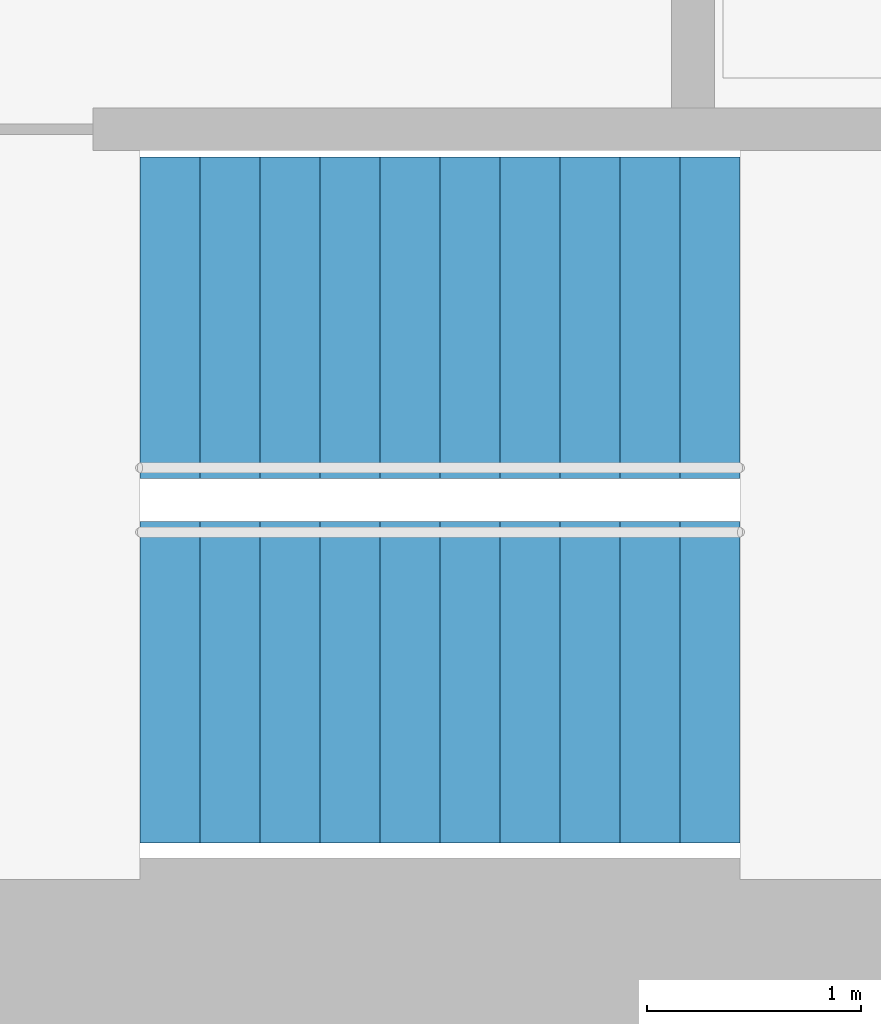
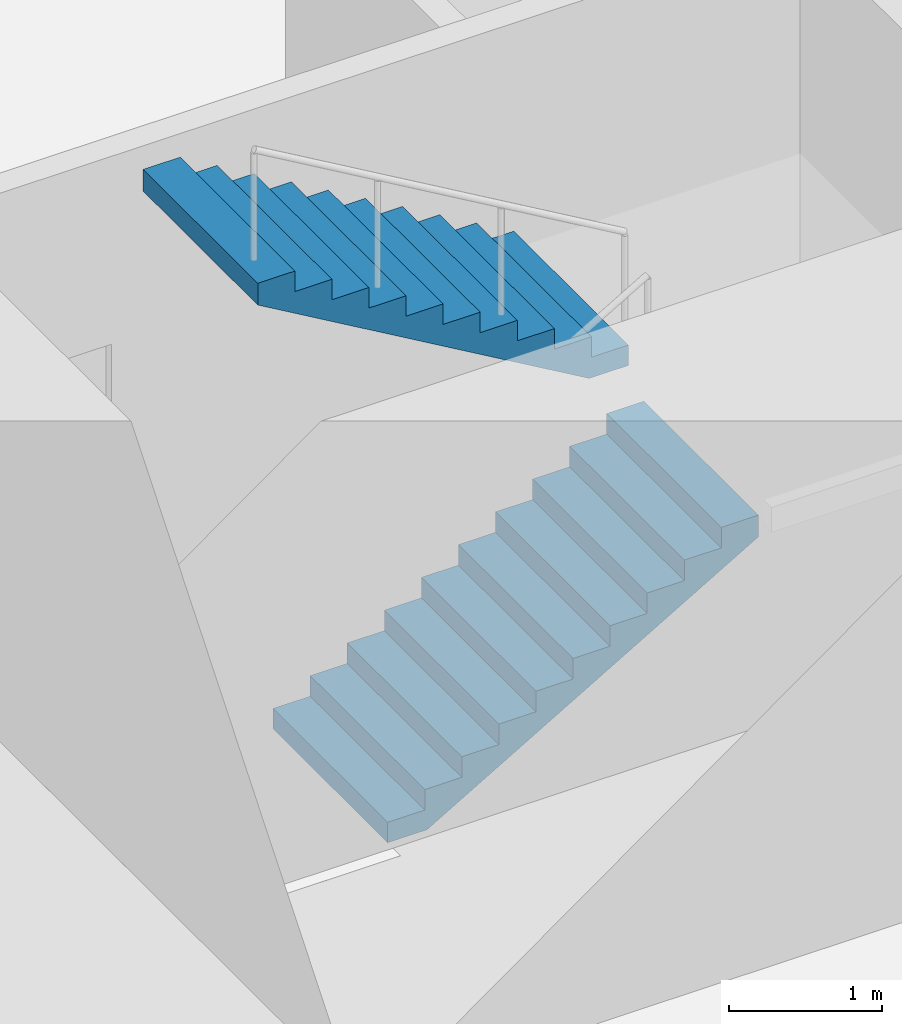
# One storey, part 13 of 15: 2 stair flights, 1 element without a shape of its own.
"""IFC4 building model written with IfcOpenShell, lengths in metres."""

from ifc_helpers import new_model, si_unit, direction, frame, origin, place, context, subcontext, project, spatial, triangles, material, type_object, element, aggregate, save


model = new_model("IFC4")

# Units and contexts
model_context = context("Model", 3, precision=1e-05, world=origin(), true_north=direction((0.0, 1.0)))
body_context = subcontext(model_context, "Body", "Model", "MODEL_VIEW")
ifc_project = project(units=[si_unit("LENGTHUNIT", "METRE"), si_unit("AREAUNIT", "SQUARE_METRE"), si_unit("VOLUMEUNIT", "CUBIC_METRE"), si_unit("PLANEANGLEUNIT", "RADIAN"), si_unit("MASSUNIT", "GRAM", prefix="KILO")], contexts=[model_context])

# Site, building, storey
site_placement = place(None, origin())
site = spatial("IfcSite", under=ifc_project, at=site_placement, CompositionType="ELEMENT")
building_placement = place(site_placement, origin())
building = spatial("IfcBuilding", under=site, at=building_placement, Name="Lantaw Convention Tower", CompositionType="ELEMENT")
storey_placement = place(building_placement, frame((0.0, 0.0, 73.0)))
storey = spatial("IfcBuildingStorey", under=building, at=storey_placement, Name="L16", CompositionType="ELEMENT", Elevation=73.0)

# Stair, stair flights
ifc_material = material(Name="Concrete C35/45", Category="concrete")
stair_type = type_object("IfcStairType", Name="Exit stair 1500 riser 163.64 in 2 flights", PredefinedType="HALF_TURN_STAIR", material=ifc_material)
stair_placement = place(storey_placement, origin())
stair = element("IfcStair", 1, at=stair_placement, inside=storey, type_object=stair_type, Name="Exit stair S1 L16", PredefinedType="HALF_TURN_STAIR")
stair_flight_type = type_object("IfcStairFlightType", Name="Stair flight 1500 riser 163.64", PredefinedType="STRAIGHT", material=ifc_material)
stair_flight_1_placement = place(storey_placement, frame((-10.580078125, -5.97998046875, 0.0), z_axis=(0.0, 0.0, 1.0), x_axis=(1.0, 0.0, 0.0)))
stair_flight_1 = element("IfcStairFlight", 2, at=stair_flight_1_placement, type_object=stair_flight_type, Name="S1 flight 1", NumberOfRisers=11, NumberOfTreads=10, PredefinedType="STRAIGHT", RiserHeight=0.163636364, TreadLength=0.28, context=body_context, shape_type="Tessellation", body=[
    triangles([(0.0, 0.75, 0.0), (0.0, 0.75, 0.163636364), (0.28, 0.75, 0.0), (0.28, 0.75, 0.163636364), (0.28, 0.75, 0.327272728), (0.2970904571225277, 0.75, 0.0), (0.2970904571225277, 0.75, 0.327272728), (0.56, 0.75, 0.1536484344906131), (0.56, 0.75, 0.327272728), (0.56, 0.75, 0.490909092), (0.8400000000000001, 0.75, 0.3172847984906131), (0.8400000000000001, 0.75, 0.490909092), (0.8400000000000001, 0.75, 0.654545456), (1.12, 0.75, 0.4809211624906131), (1.12, 0.75, 0.654545456), (1.12, 0.75, 0.8181818200000001), (1.4000000000000001, 0.75, 0.6445575264906132), (1.4000000000000001, 0.75, 0.8181818200000001), (1.4000000000000001, 0.75, 0.981818184), (1.6800000000000002, 0.75, 0.8081938904906131), (1.6800000000000002, 0.75, 0.981818184), (1.6800000000000002, 0.75, 1.145454548), (1.9600000000000002, 0.75, 0.9718302544906131), (1.9600000000000002, 0.75, 1.145454548), (1.9600000000000002, 0.75, 1.309090912), (2.24, 0.75, 1.135466618490613), (2.24, 0.75, 1.309090912), (2.24, 0.75, 1.472727276), (2.5200000000000005, 0.75, 1.2991029824906133), (2.5200000000000005, 0.75, 1.472727276), (2.5200000000000005, 0.75, 1.6363636400000001), (2.8000000000000003, 0.75, 1.462739346490613), (2.8000000000000003, 0.75, 1.6363636400000001), (0.0, -0.75, 0.0), (0.0, -0.75, 0.163636364), (0.28, -0.75, 0.0), (0.28, -0.75, 0.163636364), (0.28, -0.75, 0.327272728), (0.2970904571225277, -0.75, 0.0), (0.2970904571225277, -0.75, 0.327272728), (0.56, -0.75, 0.1536484344906131), (0.56, -0.75, 0.327272728), (0.56, -0.75, 0.490909092), (0.8400000000000001, -0.75, 0.3172847984906131), (0.8400000000000001, -0.75, 0.490909092), (0.8400000000000001, -0.75, 0.654545456), (1.12, -0.75, 0.4809211624906131), (1.12, -0.75, 0.654545456), (1.12, -0.75, 0.8181818200000001), (1.4000000000000001, -0.75, 0.6445575264906132), (1.4000000000000001, -0.75, 0.8181818200000001), (1.4000000000000001, -0.75, 0.981818184), (1.6800000000000002, -0.75, 0.8081938904906131), (1.6800000000000002, -0.75, 0.981818184), (1.6800000000000002, -0.75, 1.145454548), (1.9600000000000002, -0.75, 0.9718302544906131), (1.9600000000000002, -0.75, 1.145454548), (1.9600000000000002, -0.75, 1.309090912), (2.24, -0.75, 1.135466618490613), (2.24, -0.75, 1.309090912), (2.24, -0.75, 1.472727276), (2.5200000000000005, -0.75, 1.2991029824906133), (2.5200000000000005, -0.75, 1.472727276), (2.5200000000000005, -0.75, 1.6363636400000001), (2.8000000000000003, -0.75, 1.462739346490613), (2.8000000000000003, -0.75, 1.6363636400000001), (0.0, 0.15000000000000002, 0.163636364), (0.0, 0.15000000000000002, 0.0), (0.0, 0.0, 0.163636364), (0.0, 0.0, 0.0), (0.0, -0.15000000000000002, 0.163636364), (0.0, -0.15000000000000002, 0.0), (0.28, 0.15000000000000002, 0.327272728), (0.28, 0.15000000000000002, 0.163636364), (0.28, 0.0, 0.327272728), (0.28, 0.0, 0.163636364), (0.28, -0.15000000000000002, 0.327272728), (0.28, -0.15000000000000002, 0.163636364), (0.56, 0.15000000000000002, 0.490909092), (0.56, 0.15000000000000002, 0.327272728), (0.56, 0.0, 0.490909092), (0.56, 0.0, 0.327272728), (0.56, -0.15000000000000002, 0.490909092), (0.56, -0.15000000000000002, 0.327272728), (0.8400000000000001, 0.15000000000000002, 0.654545456), (0.8400000000000001, 0.15000000000000002, 0.490909092), (0.8400000000000001, 0.0, 0.654545456), (0.8400000000000001, 0.0, 0.490909092), (0.8400000000000001, -0.15000000000000002, 0.654545456), (0.8400000000000001, -0.15000000000000002, 0.490909092), (1.12, 0.15000000000000002, 0.8181818200000001), (1.12, 0.15000000000000002, 0.654545456), (1.12, 0.0, 0.8181818200000001), (1.12, 0.0, 0.654545456), (1.12, -0.15000000000000002, 0.8181818200000001), (1.12, -0.15000000000000002, 0.654545456), (1.4000000000000001, 0.15000000000000002, 0.981818184), (1.4000000000000001, 0.15000000000000002, 0.8181818200000001), (1.4000000000000001, 0.0, 0.981818184), (1.4000000000000001, 0.0, 0.8181818200000001), (1.4000000000000001, -0.15000000000000002, 0.981818184), (1.4000000000000001, -0.15000000000000002, 0.8181818200000001), (1.6800000000000002, 0.15000000000000002, 1.145454548), (1.6800000000000002, 0.15000000000000002, 0.981818184), (1.6800000000000002, 0.0, 1.145454548), (1.6800000000000002, 0.0, 0.981818184), (1.6800000000000002, -0.15000000000000002, 1.145454548), (1.6800000000000002, -0.15000000000000002, 0.981818184), (1.9600000000000002, 0.15000000000000002, 1.309090912), (1.9600000000000002, 0.15000000000000002, 1.145454548), (1.9600000000000002, 0.0, 1.309090912), (1.9600000000000002, 0.0, 1.145454548), (1.9600000000000002, -0.15000000000000002, 1.309090912), (1.9600000000000002, -0.15000000000000002, 1.145454548), (2.24, 0.15000000000000002, 1.472727276), (2.24, 0.15000000000000002, 1.309090912), (2.24, 0.0, 1.472727276), (2.24, 0.0, 1.309090912), (2.24, -0.15000000000000002, 1.472727276), (2.24, -0.15000000000000002, 1.309090912), (2.5200000000000005, 0.15000000000000002, 1.6363636400000001), (2.5200000000000005, 0.15000000000000002, 1.472727276), (2.5200000000000005, 0.0, 1.6363636400000001), (2.5200000000000005, 0.0, 1.472727276), (2.5200000000000005, -0.15000000000000002, 1.6363636400000001), (2.5200000000000005, -0.15000000000000002, 1.472727276), (0.2970904571225277, 0.15000000000000002, 0.327272728), (0.2970904571225277, 0.0, 0.327272728), (0.2970904571225277, -0.15000000000000002, 0.327272728), (2.8000000000000003, 0.15000000000000002, 1.6363636400000001), (2.8000000000000003, 0.0, 1.6363636400000001), (2.8000000000000003, -0.15000000000000002, 1.6363636400000001), (2.8000000000000003, 0.15000000000000002, 1.462739346490613), (2.8000000000000003, 0.0, 1.462739346490613), (2.8000000000000003, -0.15000000000000002, 1.462739346490613), (2.5200000000000005, 0.15000000000000002, 1.2991029824906133), (2.5200000000000005, 0.0, 1.2991029824906133), (2.5200000000000005, -0.15000000000000002, 1.2991029824906133), (2.24, 0.15000000000000002, 1.135466618490613), (2.24, 0.0, 1.135466618490613), (2.24, -0.15000000000000002, 1.135466618490613), (1.9600000000000002, 0.15000000000000002, 0.9718302544906131), (1.9600000000000002, 0.0, 0.9718302544906131), (1.9600000000000002, -0.15000000000000002, 0.9718302544906131), (1.6800000000000002, 0.15000000000000002, 0.8081938904906131), (1.6800000000000002, 0.0, 0.8081938904906131), (1.6800000000000002, -0.15000000000000002, 0.8081938904906131), (1.4000000000000001, 0.15000000000000002, 0.6445575264906132), (1.4000000000000001, 0.0, 0.6445575264906132), (1.4000000000000001, -0.15000000000000002, 0.6445575264906132), (1.12, 0.15000000000000002, 0.4809211624906131), (1.12, 0.0, 0.4809211624906131), (1.12, -0.15000000000000002, 0.4809211624906131), (0.8400000000000001, 0.15000000000000002, 0.3172847984906131), (0.8400000000000001, 0.0, 0.3172847984906131), (0.8400000000000001, -0.15000000000000002, 0.3172847984906131), (0.56, 0.15000000000000002, 0.1536484344906131), (0.56, 0.0, 0.1536484344906131), (0.56, -0.15000000000000002, 0.1536484344906131), (0.2970904571225277, 0.15000000000000002, 0.0), (0.2970904571225277, 0.0, 0.0), (0.2970904571225277, -0.15000000000000002, 0.0), (0.28, 0.15000000000000002, 0.0), (0.28, 0.0, 0.0), (0.28, -0.15000000000000002, 0.0)], [[1, 4, 3], [1, 2, 4], [3, 4, 6], [4, 7, 6], [4, 5, 7], [6, 9, 8], [6, 7, 9], [8, 9, 11], [9, 12, 11], [9, 10, 12], [11, 12, 14], [12, 15, 14], [12, 13, 15], [14, 15, 17], [15, 18, 17], [15, 16, 18], [17, 18, 20], [18, 21, 20], [18, 19, 21], [20, 21, 23], [21, 24, 23], [21, 22, 24], [23, 24, 26], [24, 27, 26], [24, 25, 27], [26, 27, 29], [27, 30, 29], [27, 28, 30], [29, 30, 32], [30, 33, 32], [30, 31, 33], [34, 36, 37], [34, 37, 35], [36, 39, 37], [37, 39, 40], [37, 40, 38], [39, 41, 42], [39, 42, 40], [41, 44, 42], [42, 44, 45], [42, 45, 43], [44, 47, 45], [45, 47, 48], [45, 48, 46], [47, 50, 48], [48, 50, 51], [48, 51, 49], [50, 53, 51], [51, 53, 54], [51, 54, 52], [53, 56, 54], [54, 56, 57], [54, 57, 55], [56, 59, 57], [57, 59, 60], [57, 60, 58], [59, 62, 60], [60, 62, 63], [60, 63, 61], [62, 65, 63], [63, 65, 66], [63, 66, 64], [1, 67, 2], [1, 68, 67], [68, 69, 67], [68, 70, 69], [70, 71, 69], [70, 72, 71], [72, 35, 71], [72, 34, 35], [4, 73, 5], [4, 74, 73], [74, 75, 73], [74, 76, 75], [76, 77, 75], [76, 78, 77], [78, 38, 77], [78, 37, 38], [9, 79, 10], [9, 80, 79], [80, 81, 79], [80, 82, 81], [82, 83, 81], [82, 84, 83], [84, 43, 83], [84, 42, 43], [12, 85, 13], [12, 86, 85], [86, 87, 85], [86, 88, 87], [88, 89, 87], [88, 90, 89], [90, 46, 89], [90, 45, 46], [15, 91, 16], [15, 92, 91], [92, 93, 91], [92, 94, 93], [94, 95, 93], [94, 96, 95], [96, 49, 95], [96, 48, 49], [18, 97, 19], [18, 98, 97], [98, 99, 97], [98, 100, 99], [100, 101, 99], [100, 102, 101], [102, 52, 101], [102, 51, 52], [21, 103, 22], [21, 104, 103], [104, 105, 103], [104, 106, 105], [106, 107, 105], [106, 108, 107], [108, 55, 107], [108, 54, 55], [24, 109, 25], [24, 110, 109], [110, 111, 109], [110, 112, 111], [112, 113, 111], [112, 114, 113], [114, 58, 113], [114, 57, 58], [27, 115, 28], [27, 116, 115], [116, 117, 115], [116, 118, 117], [118, 119, 117], [118, 120, 119], [120, 61, 119], [120, 60, 61], [30, 121, 31], [30, 122, 121], [122, 123, 121], [122, 124, 123], [124, 125, 123], [124, 126, 125], [126, 64, 125], [126, 63, 64], [2, 74, 4], [2, 67, 74], [67, 76, 74], [67, 69, 76], [69, 78, 76], [69, 71, 78], [71, 37, 78], [71, 35, 37], [5, 127, 7], [5, 73, 127], [73, 128, 127], [73, 75, 128], [75, 129, 128], [75, 77, 129], [77, 40, 129], [77, 38, 40], [7, 80, 9], [7, 127, 80], [127, 82, 80], [127, 128, 82], [128, 84, 82], [128, 129, 84], [129, 42, 84], [129, 40, 42], [10, 86, 12], [10, 79, 86], [79, 88, 86], [79, 81, 88], [81, 90, 88], [81, 83, 90], [83, 45, 90], [83, 43, 45], [13, 92, 15], [13, 85, 92], [85, 94, 92], [85, 87, 94], [87, 96, 94], [87, 89, 96], [89, 48, 96], [89, 46, 48], [16, 98, 18], [16, 91, 98], [91, 100, 98], [91, 93, 100], [93, 102, 100], [93, 95, 102], [95, 51, 102], [95, 49, 51], [19, 104, 21], [19, 97, 104], [97, 106, 104], [97, 99, 106], [99, 108, 106], [99, 101, 108], [101, 54, 108], [101, 52, 54], [22, 110, 24], [22, 103, 110], [103, 112, 110], [103, 105, 112], [105, 114, 112], [105, 107, 114], [107, 57, 114], [107, 55, 57], [25, 116, 27], [25, 109, 116], [109, 118, 116], [109, 111, 118], [111, 120, 118], [111, 113, 120], [113, 60, 120], [113, 58, 60], [28, 122, 30], [28, 115, 122], [115, 124, 122], [115, 117, 124], [117, 126, 124], [117, 119, 126], [119, 63, 126], [119, 61, 63], [31, 130, 33], [31, 121, 130], [121, 131, 130], [121, 123, 131], [123, 132, 131], [123, 125, 132], [125, 66, 132], [125, 64, 66], [33, 133, 32], [33, 130, 133], [130, 134, 133], [130, 131, 134], [131, 135, 134], [131, 132, 135], [132, 65, 135], [132, 66, 65], [32, 136, 29], [32, 133, 136], [133, 137, 136], [133, 134, 137], [134, 138, 137], [134, 135, 138], [135, 62, 138], [135, 65, 62], [29, 139, 26], [29, 136, 139], [136, 140, 139], [136, 137, 140], [137, 141, 140], [137, 138, 141], [138, 59, 141], [138, 62, 59], [26, 142, 23], [26, 139, 142], [139, 143, 142], [139, 140, 143], [140, 144, 143], [140, 141, 144], [141, 56, 144], [141, 59, 56], [23, 145, 20], [23, 142, 145], [142, 146, 145], [142, 143, 146], [143, 147, 146], [143, 144, 147], [144, 53, 147], [144, 56, 53], [20, 148, 17], [20, 145, 148], [145, 149, 148], [145, 146, 149], [146, 150, 149], [146, 147, 150], [147, 50, 150], [147, 53, 50], [17, 151, 14], [17, 148, 151], [148, 152, 151], [148, 149, 152], [149, 153, 152], [149, 150, 153], [150, 47, 153], [150, 50, 47], [14, 154, 11], [14, 151, 154], [151, 155, 154], [151, 152, 155], [152, 156, 155], [152, 153, 156], [153, 44, 156], [153, 47, 44], [11, 157, 8], [11, 154, 157], [154, 158, 157], [154, 155, 158], [155, 159, 158], [155, 156, 159], [156, 41, 159], [156, 44, 41], [8, 160, 6], [8, 157, 160], [157, 161, 160], [157, 158, 161], [158, 162, 161], [158, 159, 162], [159, 39, 162], [159, 41, 39], [6, 163, 3], [6, 160, 163], [160, 164, 163], [160, 161, 164], [161, 165, 164], [161, 162, 165], [162, 36, 165], [162, 39, 36], [3, 68, 1], [3, 163, 68], [163, 70, 68], [163, 164, 70], [164, 72, 70], [164, 165, 72], [165, 34, 72], [165, 36, 34]], closed=True),
])
stair_flight_2_placement = place(storey_placement, frame((-7.780029296875, -4.280029296875, 1.800048828125), z_axis=(0.0, 0.0, 1.0), x_axis=(-1.0, 0.0, 0.0)))
stair_flight_2 = element("IfcStairFlight", 3, at=stair_flight_2_placement, type_object=stair_flight_type, Name="S1 flight 2", NumberOfRisers=11, NumberOfTreads=10, PredefinedType="STRAIGHT", RiserHeight=0.163636364, TreadLength=0.28, context=body_context, shape_type="Tessellation", body=[
    triangles([(0.0, 0.75, 0.0), (0.0, 0.75, 0.163636364), (0.28, 0.75, 0.0), (0.28, 0.75, 0.163636364), (0.28, 0.75, 0.327272728), (0.2970904571225277, 0.75, 0.0), (0.2970904571225277, 0.75, 0.327272728), (0.56, 0.75, 0.1536484344906131), (0.56, 0.75, 0.327272728), (0.56, 0.75, 0.490909092), (0.8400000000000001, 0.75, 0.3172847984906131), (0.8400000000000001, 0.75, 0.490909092), (0.8400000000000001, 0.75, 0.654545456), (1.12, 0.75, 0.4809211624906131), (1.12, 0.75, 0.654545456), (1.12, 0.75, 0.8181818200000001), (1.4000000000000001, 0.75, 0.6445575264906132), (1.4000000000000001, 0.75, 0.8181818200000001), (1.4000000000000001, 0.75, 0.981818184), (1.6800000000000002, 0.75, 0.8081938904906131), (1.6800000000000002, 0.75, 0.981818184), (1.6800000000000002, 0.75, 1.145454548), (1.9600000000000002, 0.75, 0.9718302544906131), (1.9600000000000002, 0.75, 1.145454548), (1.9600000000000002, 0.75, 1.309090912), (2.24, 0.75, 1.135466618490613), (2.24, 0.75, 1.309090912), (2.24, 0.75, 1.472727276), (2.5200000000000005, 0.75, 1.2991029824906133), (2.5200000000000005, 0.75, 1.472727276), (2.5200000000000005, 0.75, 1.6363636400000001), (2.8000000000000003, 0.75, 1.462739346490613), (2.8000000000000003, 0.75, 1.6363636400000001), (0.0, -0.75, 0.0), (0.0, -0.75, 0.163636364), (0.28, -0.75, 0.0), (0.28, -0.75, 0.163636364), (0.28, -0.75, 0.327272728), (0.2970904571225277, -0.75, 0.0), (0.2970904571225277, -0.75, 0.327272728), (0.56, -0.75, 0.1536484344906131), (0.56, -0.75, 0.327272728), (0.56, -0.75, 0.490909092), (0.8400000000000001, -0.75, 0.3172847984906131), (0.8400000000000001, -0.75, 0.490909092), (0.8400000000000001, -0.75, 0.654545456), (1.12, -0.75, 0.4809211624906131), (1.12, -0.75, 0.654545456), (1.12, -0.75, 0.8181818200000001), (1.4000000000000001, -0.75, 0.6445575264906132), (1.4000000000000001, -0.75, 0.8181818200000001), (1.4000000000000001, -0.75, 0.981818184), (1.6800000000000002, -0.75, 0.8081938904906131), (1.6800000000000002, -0.75, 0.981818184), (1.6800000000000002, -0.75, 1.145454548), (1.9600000000000002, -0.75, 0.9718302544906131), (1.9600000000000002, -0.75, 1.145454548), (1.9600000000000002, -0.75, 1.309090912), (2.24, -0.75, 1.135466618490613), (2.24, -0.75, 1.309090912), (2.24, -0.75, 1.472727276), (2.5200000000000005, -0.75, 1.2991029824906133), (2.5200000000000005, -0.75, 1.472727276), (2.5200000000000005, -0.75, 1.6363636400000001), (2.8000000000000003, -0.75, 1.462739346490613), (2.8000000000000003, -0.75, 1.6363636400000001), (0.0, 0.15000000000000002, 0.163636364), (0.0, 0.15000000000000002, 0.0), (0.0, 0.0, 0.163636364), (0.0, 0.0, 0.0), (0.0, -0.15000000000000002, 0.163636364), (0.0, -0.15000000000000002, 0.0), (0.28, 0.15000000000000002, 0.327272728), (0.28, 0.15000000000000002, 0.163636364), (0.28, 0.0, 0.327272728), (0.28, 0.0, 0.163636364), (0.28, -0.15000000000000002, 0.327272728), (0.28, -0.15000000000000002, 0.163636364), (0.56, 0.15000000000000002, 0.490909092), (0.56, 0.15000000000000002, 0.327272728), (0.56, 0.0, 0.490909092), (0.56, 0.0, 0.327272728), (0.56, -0.15000000000000002, 0.490909092), (0.56, -0.15000000000000002, 0.327272728), (0.8400000000000001, 0.15000000000000002, 0.654545456), (0.8400000000000001, 0.15000000000000002, 0.490909092), (0.8400000000000001, 0.0, 0.654545456), (0.8400000000000001, 0.0, 0.490909092), (0.8400000000000001, -0.15000000000000002, 0.654545456), (0.8400000000000001, -0.15000000000000002, 0.490909092), (1.12, 0.15000000000000002, 0.8181818200000001), (1.12, 0.15000000000000002, 0.654545456), (1.12, 0.0, 0.8181818200000001), (1.12, 0.0, 0.654545456), (1.12, -0.15000000000000002, 0.8181818200000001), (1.12, -0.15000000000000002, 0.654545456), (1.4000000000000001, 0.15000000000000002, 0.981818184), (1.4000000000000001, 0.15000000000000002, 0.8181818200000001), (1.4000000000000001, 0.0, 0.981818184), (1.4000000000000001, 0.0, 0.8181818200000001), (1.4000000000000001, -0.15000000000000002, 0.981818184), (1.4000000000000001, -0.15000000000000002, 0.8181818200000001), (1.6800000000000002, 0.15000000000000002, 1.145454548), (1.6800000000000002, 0.15000000000000002, 0.981818184), (1.6800000000000002, 0.0, 1.145454548), (1.6800000000000002, 0.0, 0.981818184), (1.6800000000000002, -0.15000000000000002, 1.145454548), (1.6800000000000002, -0.15000000000000002, 0.981818184), (1.9600000000000002, 0.15000000000000002, 1.309090912), (1.9600000000000002, 0.15000000000000002, 1.145454548), (1.9600000000000002, 0.0, 1.309090912), (1.9600000000000002, 0.0, 1.145454548), (1.9600000000000002, -0.15000000000000002, 1.309090912), (1.9600000000000002, -0.15000000000000002, 1.145454548), (2.24, 0.15000000000000002, 1.472727276), (2.24, 0.15000000000000002, 1.309090912), (2.24, 0.0, 1.472727276), (2.24, 0.0, 1.309090912), (2.24, -0.15000000000000002, 1.472727276), (2.24, -0.15000000000000002, 1.309090912), (2.5200000000000005, 0.15000000000000002, 1.6363636400000001), (2.5200000000000005, 0.15000000000000002, 1.472727276), (2.5200000000000005, 0.0, 1.6363636400000001), (2.5200000000000005, 0.0, 1.472727276), (2.5200000000000005, -0.15000000000000002, 1.6363636400000001), (2.5200000000000005, -0.15000000000000002, 1.472727276), (0.2970904571225277, 0.15000000000000002, 0.327272728), (0.2970904571225277, 0.0, 0.327272728), (0.2970904571225277, -0.15000000000000002, 0.327272728), (2.8000000000000003, 0.15000000000000002, 1.6363636400000001), (2.8000000000000003, 0.0, 1.6363636400000001), (2.8000000000000003, -0.15000000000000002, 1.6363636400000001), (2.8000000000000003, 0.15000000000000002, 1.462739346490613), (2.8000000000000003, 0.0, 1.462739346490613), (2.8000000000000003, -0.15000000000000002, 1.462739346490613), (2.5200000000000005, 0.15000000000000002, 1.2991029824906133), (2.5200000000000005, 0.0, 1.2991029824906133), (2.5200000000000005, -0.15000000000000002, 1.2991029824906133), (2.24, 0.15000000000000002, 1.135466618490613), (2.24, 0.0, 1.135466618490613), (2.24, -0.15000000000000002, 1.135466618490613), (1.9600000000000002, 0.15000000000000002, 0.9718302544906131), (1.9600000000000002, 0.0, 0.9718302544906131), (1.9600000000000002, -0.15000000000000002, 0.9718302544906131), (1.6800000000000002, 0.15000000000000002, 0.8081938904906131), (1.6800000000000002, 0.0, 0.8081938904906131), (1.6800000000000002, -0.15000000000000002, 0.8081938904906131), (1.4000000000000001, 0.15000000000000002, 0.6445575264906132), (1.4000000000000001, 0.0, 0.6445575264906132), (1.4000000000000001, -0.15000000000000002, 0.6445575264906132), (1.12, 0.15000000000000002, 0.4809211624906131), (1.12, 0.0, 0.4809211624906131), (1.12, -0.15000000000000002, 0.4809211624906131), (0.8400000000000001, 0.15000000000000002, 0.3172847984906131), (0.8400000000000001, 0.0, 0.3172847984906131), (0.8400000000000001, -0.15000000000000002, 0.3172847984906131), (0.56, 0.15000000000000002, 0.1536484344906131), (0.56, 0.0, 0.1536484344906131), (0.56, -0.15000000000000002, 0.1536484344906131), (0.2970904571225277, 0.15000000000000002, 0.0), (0.2970904571225277, 0.0, 0.0), (0.2970904571225277, -0.15000000000000002, 0.0), (0.28, 0.15000000000000002, 0.0), (0.28, 0.0, 0.0), (0.28, -0.15000000000000002, 0.0)], [[1, 4, 3], [1, 2, 4], [3, 4, 6], [4, 7, 6], [4, 5, 7], [6, 9, 8], [6, 7, 9], [8, 9, 11], [9, 12, 11], [9, 10, 12], [11, 12, 14], [12, 15, 14], [12, 13, 15], [14, 15, 17], [15, 18, 17], [15, 16, 18], [17, 18, 20], [18, 21, 20], [18, 19, 21], [20, 21, 23], [21, 24, 23], [21, 22, 24], [23, 24, 26], [24, 27, 26], [24, 25, 27], [26, 27, 29], [27, 30, 29], [27, 28, 30], [29, 30, 32], [30, 33, 32], [30, 31, 33], [34, 36, 37], [34, 37, 35], [36, 39, 37], [37, 39, 40], [37, 40, 38], [39, 41, 42], [39, 42, 40], [41, 44, 42], [42, 44, 45], [42, 45, 43], [44, 47, 45], [45, 47, 48], [45, 48, 46], [47, 50, 48], [48, 50, 51], [48, 51, 49], [50, 53, 51], [51, 53, 54], [51, 54, 52], [53, 56, 54], [54, 56, 57], [54, 57, 55], [56, 59, 57], [57, 59, 60], [57, 60, 58], [59, 62, 60], [60, 62, 63], [60, 63, 61], [62, 65, 63], [63, 65, 66], [63, 66, 64], [1, 67, 2], [1, 68, 67], [68, 69, 67], [68, 70, 69], [70, 71, 69], [70, 72, 71], [72, 35, 71], [72, 34, 35], [4, 73, 5], [4, 74, 73], [74, 75, 73], [74, 76, 75], [76, 77, 75], [76, 78, 77], [78, 38, 77], [78, 37, 38], [9, 79, 10], [9, 80, 79], [80, 81, 79], [80, 82, 81], [82, 83, 81], [82, 84, 83], [84, 43, 83], [84, 42, 43], [12, 85, 13], [12, 86, 85], [86, 87, 85], [86, 88, 87], [88, 89, 87], [88, 90, 89], [90, 46, 89], [90, 45, 46], [15, 91, 16], [15, 92, 91], [92, 93, 91], [92, 94, 93], [94, 95, 93], [94, 96, 95], [96, 49, 95], [96, 48, 49], [18, 97, 19], [18, 98, 97], [98, 99, 97], [98, 100, 99], [100, 101, 99], [100, 102, 101], [102, 52, 101], [102, 51, 52], [21, 103, 22], [21, 104, 103], [104, 105, 103], [104, 106, 105], [106, 107, 105], [106, 108, 107], [108, 55, 107], [108, 54, 55], [24, 109, 25], [24, 110, 109], [110, 111, 109], [110, 112, 111], [112, 113, 111], [112, 114, 113], [114, 58, 113], [114, 57, 58], [27, 115, 28], [27, 116, 115], [116, 117, 115], [116, 118, 117], [118, 119, 117], [118, 120, 119], [120, 61, 119], [120, 60, 61], [30, 121, 31], [30, 122, 121], [122, 123, 121], [122, 124, 123], [124, 125, 123], [124, 126, 125], [126, 64, 125], [126, 63, 64], [2, 74, 4], [2, 67, 74], [67, 76, 74], [67, 69, 76], [69, 78, 76], [69, 71, 78], [71, 37, 78], [71, 35, 37], [5, 127, 7], [5, 73, 127], [73, 128, 127], [73, 75, 128], [75, 129, 128], [75, 77, 129], [77, 40, 129], [77, 38, 40], [7, 80, 9], [7, 127, 80], [127, 82, 80], [127, 128, 82], [128, 84, 82], [128, 129, 84], [129, 42, 84], [129, 40, 42], [10, 86, 12], [10, 79, 86], [79, 88, 86], [79, 81, 88], [81, 90, 88], [81, 83, 90], [83, 45, 90], [83, 43, 45], [13, 92, 15], [13, 85, 92], [85, 94, 92], [85, 87, 94], [87, 96, 94], [87, 89, 96], [89, 48, 96], [89, 46, 48], [16, 98, 18], [16, 91, 98], [91, 100, 98], [91, 93, 100], [93, 102, 100], [93, 95, 102], [95, 51, 102], [95, 49, 51], [19, 104, 21], [19, 97, 104], [97, 106, 104], [97, 99, 106], [99, 108, 106], [99, 101, 108], [101, 54, 108], [101, 52, 54], [22, 110, 24], [22, 103, 110], [103, 112, 110], [103, 105, 112], [105, 114, 112], [105, 107, 114], [107, 57, 114], [107, 55, 57], [25, 116, 27], [25, 109, 116], [109, 118, 116], [109, 111, 118], [111, 120, 118], [111, 113, 120], [113, 60, 120], [113, 58, 60], [28, 122, 30], [28, 115, 122], [115, 124, 122], [115, 117, 124], [117, 126, 124], [117, 119, 126], [119, 63, 126], [119, 61, 63], [31, 130, 33], [31, 121, 130], [121, 131, 130], [121, 123, 131], [123, 132, 131], [123, 125, 132], [125, 66, 132], [125, 64, 66], [33, 133, 32], [33, 130, 133], [130, 134, 133], [130, 131, 134], [131, 135, 134], [131, 132, 135], [132, 65, 135], [132, 66, 65], [32, 136, 29], [32, 133, 136], [133, 137, 136], [133, 134, 137], [134, 138, 137], [134, 135, 138], [135, 62, 138], [135, 65, 62], [29, 139, 26], [29, 136, 139], [136, 140, 139], [136, 137, 140], [137, 141, 140], [137, 138, 141], [138, 59, 141], [138, 62, 59], [26, 142, 23], [26, 139, 142], [139, 143, 142], [139, 140, 143], [140, 144, 143], [140, 141, 144], [141, 56, 144], [141, 59, 56], [23, 145, 20], [23, 142, 145], [142, 146, 145], [142, 143, 146], [143, 147, 146], [143, 144, 147], [144, 53, 147], [144, 56, 53], [20, 148, 17], [20, 145, 148], [145, 149, 148], [145, 146, 149], [146, 150, 149], [146, 147, 150], [147, 50, 150], [147, 53, 50], [17, 151, 14], [17, 148, 151], [148, 152, 151], [148, 149, 152], [149, 153, 152], [149, 150, 153], [150, 47, 153], [150, 50, 47], [14, 154, 11], [14, 151, 154], [151, 155, 154], [151, 152, 155], [152, 156, 155], [152, 153, 156], [153, 44, 156], [153, 47, 44], [11, 157, 8], [11, 154, 157], [154, 158, 157], [154, 155, 158], [155, 159, 158], [155, 156, 159], [156, 41, 159], [156, 44, 41], [8, 160, 6], [8, 157, 160], [157, 161, 160], [157, 158, 161], [158, 162, 161], [158, 159, 162], [159, 39, 162], [159, 41, 39], [6, 163, 3], [6, 160, 163], [160, 164, 163], [160, 161, 164], [161, 165, 164], [161, 162, 165], [162, 36, 165], [162, 39, 36], [3, 68, 1], [3, 163, 68], [163, 70, 68], [163, 164, 70], [164, 72, 70], [164, 165, 72], [165, 34, 72], [165, 36, 34]], closed=True),
])
aggregate(stair, [stair_flight_1, stair_flight_2])

save(model, "model.ifc")
